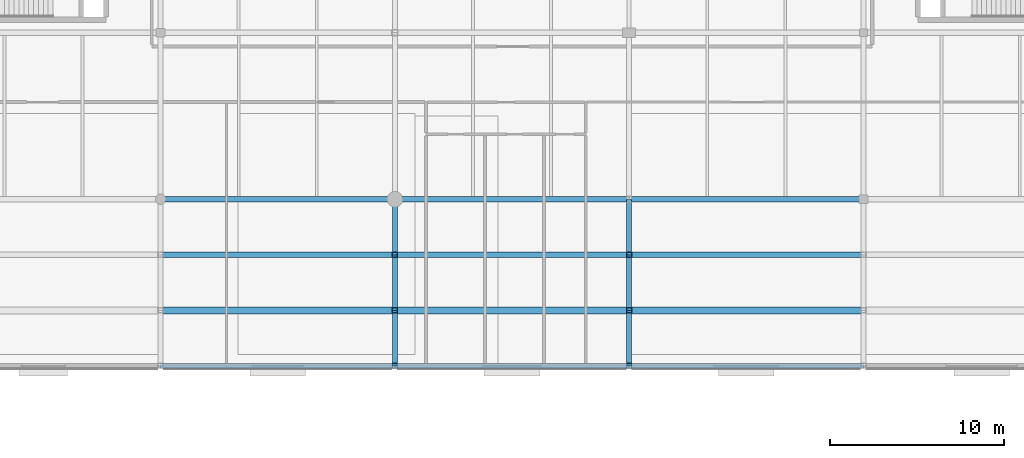
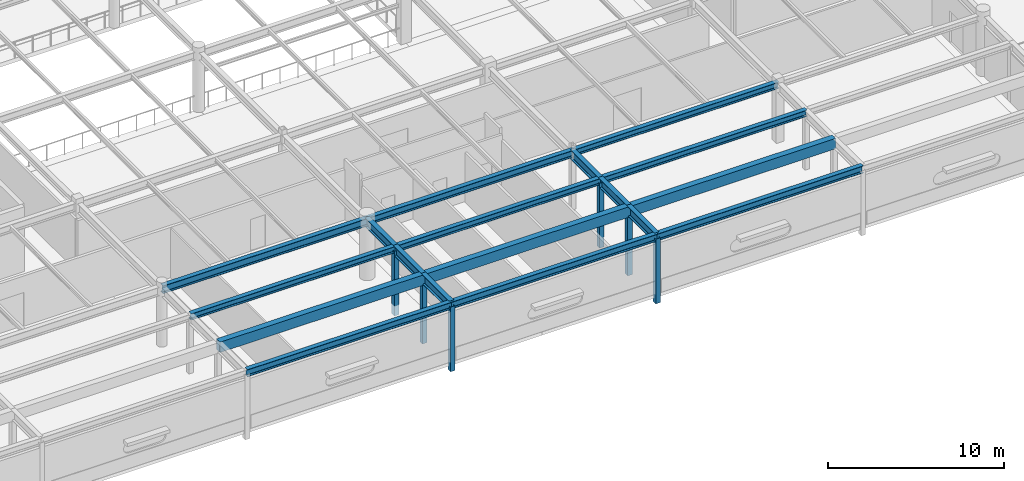
# One storey, part 17 of 61: 18 beams, 6 members.
"""IFC4 building model written with IfcOpenShell, lengths in metres."""

from ifc_helpers import new_model, si_unit, direction, frame, origin, origin_2d, place, context, subcontext, project, spatial, rectangle, hollow_rectangle, i_section, extrude, material, material_profile, profile_set, type_object, element, save


model = new_model("IFC4")

# Units and contexts
model_context = context("Model", 3, precision=1e-05, world=origin(), true_north=direction((0.0, 1.0)))
body_context = subcontext(model_context, "Body", "Model", "MODEL_VIEW")
ifc_project = project(units=[si_unit("LENGTHUNIT", "METRE"), si_unit("AREAUNIT", "SQUARE_METRE"), si_unit("VOLUMEUNIT", "CUBIC_METRE"), si_unit("PLANEANGLEUNIT", "RADIAN"), si_unit("MASSUNIT", "GRAM", prefix="KILO")], contexts=[model_context])

# Site, building, storey
site_placement = place(None, origin())
site = spatial("IfcSite", under=ifc_project, at=site_placement, CompositionType="ELEMENT")
building_placement = place(site_placement, origin())
building = spatial("IfcBuilding", under=site, at=building_placement, Name="Fikremerkos Civic Library", CompositionType="ELEMENT")
storey_placement = place(building_placement, frame((0.0, 0.0, 14.39990234375)))
storey = spatial("IfcBuildingStorey", under=building, at=storey_placement, Name="L03", CompositionType="ELEMENT", Elevation=14.39990234375)

# Members
ifc_material_1 = material(Name="Steel S355", Category="steel")
ifc_material_profile_1 = material_profile(ifc_material_1, hollow_rectangle(XDim=0.300048828125, YDim=0.300048828125, WallThickness=0.012451171875, at=origin_2d()), Name="SHS 300x300x12.5")
ifc_profile_set_1 = profile_set([ifc_material_profile_1], Name="Steel S355")
member_type = type_object("IfcMemberType", Name="Frame post PST-01 SHS 300x300x12.5", PredefinedType="POST", material=ifc_profile_set_1)
for number, where, z_axis, x_axis, name in (
    (1, (73.199951171875, 8.800048828125, -0.664794921875), (0.0, 0.0, 1.0), (1.0, 0.0, 0.0), "Cantilever frame post PST-01 L03 X=73.2 Y=8.8"),
    (2, (73.199951171875, 5.60009765625, -0.664794921875), (0.0, 0.0, 1.0), (1.0, 0.0, 0.0), "Cantilever frame post PST-01 L03 X=73.2 Y=5.6"),
    (3, (73.199951171875, 2.39990234375, -0.664794921875), (0.0, 0.0, 1.0), (1.0, 0.0, 0.0), "Cantilever frame post PST-01 L03 X=73.2 Y=2.4"),
    (4, (86.699951171875, 8.800048828125, -0.664794921875), (0.0, 0.0, 1.0), (1.0, 0.0, 0.0), "Cantilever frame post PST-01 L03 X=86.7 Y=8.8"),
    (5, (86.699951171875, 5.60009765625, -0.664794921875), (0.0, 0.0, 1.0), (1.0, 0.0, 0.0), "Cantilever frame post PST-01 L03 X=86.7 Y=5.6"),
    (6, (86.699951171875, 2.39990234375, -0.664794921875), (0.0, 0.0, 1.0), (1.0, 0.0, 0.0), "Cantilever frame post PST-01 L03 X=86.7 Y=2.4"),
):
    element("IfcMember", number, at=place(storey_placement, frame(where, z_axis=z_axis, x_axis=x_axis)), inside=storey, type_object=member_type, Name=name, PredefinedType="POST", context=body_context, shape_type="SweptSolid", body=[
        extrude(hollow_rectangle(XDim=0.300048828125, YDim=0.300048828125, WallThickness=0.012451171875, at=origin_2d()), origin(), (0.0, 0.0, 1.0), 4.5),
    ])

# Beams
ifc_material_profile_2 = material_profile(ifc_material_1, i_section(OverallWidth=0.300048828125, OverallDepth=0.5400390625, WebThickness=0.012451171875, FlangeThickness=0.02392578125, FilletRadius=0.027099609375, at=origin_2d()), Name="HEA 550")
ifc_profile_set_2 = profile_set([ifc_material_profile_2], Name="Steel S355")
beam_type_1 = type_object("IfcBeamType", Name="Primary girder BM-16 HEA 550", PredefinedType="BEAM", material=ifc_profile_set_2)
beam_1_placement = place(storey_placement, frame((59.699951171875, 12.0, 3.89013671875), z_axis=(1.0, 0.0, 0.0), x_axis=(0.0, 1.0, 0.0)))
element("IfcBeam", 7, at=beam_1_placement, inside=storey, type_object=beam_type_1, Name="Primary girder BM-16 L03 grid E", PredefinedType="BEAM", context=body_context, shape_type="SweptSolid", body=[
    extrude(i_section(OverallWidth=0.300048828125, OverallDepth=0.5400390625, WebThickness=0.012451171875, FlangeThickness=0.02392578125, FilletRadius=0.027099609375, at=origin_2d()), origin(), (0.0, 0.0, 1.0), 13.5),
])
ifc_material_profile_3 = material_profile(ifc_material_1, i_section(OverallWidth=0.300048828125, OverallDepth=0.489990234375, WebThickness=0.011962890625, FlangeThickness=0.02294921875, FilletRadius=0.027099609375, at=origin_2d()), Name="HEA 500")
ifc_profile_set_3 = profile_set([ifc_material_profile_3], Name="Steel S355")
beam_type_2 = type_object("IfcBeamType", Name="Primary girder BM-17 HEA 500", PredefinedType="BEAM", material=ifc_profile_set_3)
beam_2_placement = place(storey_placement, frame((73.199951171875, 12.0, 3.9150390625), z_axis=(1.0, 0.0, 0.0), x_axis=(0.0, 1.0, 0.0)))
element("IfcBeam", 8, at=beam_2_placement, inside=storey, type_object=beam_type_2, Name="Primary girder BM-17 L03 grid E", PredefinedType="BEAM", context=body_context, shape_type="SweptSolid", body=[
    extrude(i_section(OverallWidth=0.300048828125, OverallDepth=0.489990234375, WebThickness=0.011962890625, FlangeThickness=0.02294921875, FilletRadius=0.027099609375, at=origin_2d()), origin(), (0.0, 0.0, 1.0), 13.5),
])
ifc_material_profile_4 = material_profile(ifc_material_1, i_section(OverallWidth=0.300048828125, OverallDepth=0.43994140625, WebThickness=0.011474609375, FlangeThickness=0.02099609375, FilletRadius=0.027099609375, at=origin_2d()), Name="HEA 450")
ifc_profile_set_4 = profile_set([ifc_material_profile_4], Name="Steel S355")
beam_type_3 = type_object("IfcBeamType", Name="Primary girder BM-18 HEA 450", PredefinedType="BEAM", material=ifc_profile_set_4)
beam_3_placement = place(storey_placement, frame((86.699951171875, 12.0, 3.940185546875), z_axis=(1.0, 0.0, 0.0), x_axis=(0.0, 1.0, 0.0)))
element("IfcBeam", 9, at=beam_3_placement, inside=storey, type_object=beam_type_3, Name="Primary girder BM-18 L03 grid E", PredefinedType="BEAM", context=body_context, shape_type="SweptSolid", body=[
    extrude(i_section(OverallWidth=0.300048828125, OverallDepth=0.43994140625, WebThickness=0.011474609375, FlangeThickness=0.02099609375, FilletRadius=0.027099609375, at=origin_2d()), origin(), (0.0, 0.0, 1.0), 13.5),
])
ifc_material_profile_5 = material_profile(ifc_material_1, i_section(OverallWidth=0.300048828125, OverallDepth=0.64990234375, WebThickness=0.01611328125, FlangeThickness=0.031005859375, FilletRadius=0.027099609375, at=origin_2d()), Name="HEB 650")
ifc_profile_set_5 = profile_set([ifc_material_profile_5], Name="Steel S355")
beam_type_4 = type_object("IfcBeamType", Name="Primary girder BM-21 HEB 650", PredefinedType="BEAM", material=ifc_profile_set_5)
for number, where, z_axis, x_axis, name in (
    (10, (73.199951171875, 12.0, 3.835205078125), (0.0, -1.0, 0.0), (1.0, 0.0, 0.0), "Cantilever girder BM-21 L03 X=73.2 #1"),
    (11, (73.199951171875, 8.800048828125, 3.835205078125), (0.0, -1.0, 0.0), (1.0, 0.0, 0.0), "Cantilever girder BM-21 L03 X=73.2 #2"),
):
    element("IfcBeam", number, at=place(storey_placement, frame(where, z_axis=z_axis, x_axis=x_axis)), inside=storey, type_object=beam_type_4, Name=name, PredefinedType="BEAM", context=body_context, shape_type="SweptSolid", body=[
        extrude(i_section(OverallWidth=0.300048828125, OverallDepth=0.64990234375, WebThickness=0.01611328125, FlangeThickness=0.031005859375, FilletRadius=0.027099609375, at=origin_2d()), origin(), (0.0, 0.0, 1.0), 3.199951171875),
    ])
beam_4_placement = place(storey_placement, frame((73.199951171875, 5.60009765625, 3.835205078125), z_axis=(0.0, -1.0, 0.0), x_axis=(1.0, 0.0, 0.0)))
element("IfcBeam", 12, at=beam_4_placement, inside=storey, type_object=beam_type_4, Name="Cantilever girder BM-21 L03 X=73.2 #3", PredefinedType="BEAM", context=body_context, shape_type="SweptSolid", body=[
    extrude(i_section(OverallWidth=0.300048828125, OverallDepth=0.64990234375, WebThickness=0.01611328125, FlangeThickness=0.031005859375, FilletRadius=0.027099609375, at=origin_2d()), origin(), (0.0, 0.0, 1.0), 3.2001953125),
])
for number, where, z_axis, x_axis, name in (
    (13, (86.699951171875, 12.0, 3.835205078125), (0.0, -1.0, 0.0), (1.0, 0.0, 0.0), "Cantilever girder BM-21 L03 X=86.7 #1"),
    (14, (86.699951171875, 8.800048828125, 3.835205078125), (0.0, -1.0, 0.0), (1.0, 0.0, 0.0), "Cantilever girder BM-21 L03 X=86.7 #2"),
):
    element("IfcBeam", number, at=place(storey_placement, frame(where, z_axis=z_axis, x_axis=x_axis)), inside=storey, type_object=beam_type_4, Name=name, PredefinedType="BEAM", context=body_context, shape_type="SweptSolid", body=[
        extrude(i_section(OverallWidth=0.300048828125, OverallDepth=0.64990234375, WebThickness=0.01611328125, FlangeThickness=0.031005859375, FilletRadius=0.027099609375, at=origin_2d()), origin(), (0.0, 0.0, 1.0), 3.199951171875),
    ])
beam_5_placement = place(storey_placement, frame((86.699951171875, 5.60009765625, 3.835205078125), z_axis=(0.0, -1.0, 0.0), x_axis=(1.0, 0.0, 0.0)))
element("IfcBeam", 15, at=beam_5_placement, inside=storey, type_object=beam_type_4, Name="Cantilever girder BM-21 L03 X=86.7 #3", PredefinedType="BEAM", context=body_context, shape_type="SweptSolid", body=[
    extrude(i_section(OverallWidth=0.300048828125, OverallDepth=0.64990234375, WebThickness=0.01611328125, FlangeThickness=0.031005859375, FilletRadius=0.027099609375, at=origin_2d()), origin(), (0.0, 0.0, 1.0), 3.2001953125),
])
ifc_material_2 = material(Name="Concrete C40/50", Category="concrete")
ifc_material_profile_6 = material_profile(ifc_material_2, rectangle(XDim=0.39990234375, YDim=0.719970703125, at=origin_2d()), Name="RC 400x720")
ifc_profile_set_6 = profile_set([ifc_material_profile_6], Name="Concrete C40/50")
beam_type_5 = type_object("IfcBeamType", Name="Spandrel edge beam SPB-03 RC 400x720", PredefinedType="SPANDREL", material=ifc_profile_set_6)
for number, where, z_axis, x_axis, name in (
    (16, (59.699951171875, 5.60009765625, 3.800048828125), (1.0, 0.0, 0.0), (0.0, 1.0, 0.0), "Spandrel edge beam SPB-03 L03 Y=5.6 bay 4"),
    (17, (73.199951171875, 5.60009765625, 3.800048828125), (1.0, 0.0, 0.0), (0.0, 1.0, 0.0), "Spandrel edge beam SPB-03 L03 Y=5.6 bay 5"),
    (18, (86.699951171875, 5.60009765625, 3.800048828125), (1.0, 0.0, 0.0), (0.0, 1.0, 0.0), "Spandrel edge beam SPB-03 L03 Y=5.6 bay 6"),
):
    element("IfcBeam", number, at=place(storey_placement, frame(where, z_axis=z_axis, x_axis=x_axis)), inside=storey, type_object=beam_type_5, Name=name, PredefinedType="SPANDREL", context=body_context, shape_type="SweptSolid", body=[
        extrude(rectangle(XDim=0.39990234375, YDim=0.719970703125, at=origin_2d()), origin(), (0.0, 0.0, 1.0), 13.5),
    ])
ifc_material_profile_7 = material_profile(ifc_material_1, i_section(OverallWidth=0.300048828125, OverallDepth=0.489990234375, WebThickness=0.011962890625, FlangeThickness=0.02294921875, FilletRadius=0.027099609375, at=origin_2d()), Name="HEA 500")
ifc_profile_set_7 = profile_set([ifc_material_profile_7], Name="Steel S355")
beam_type_6 = type_object("IfcBeamType", Name="Spandrel edge beam SPB-04 HEA 500", PredefinedType="SPANDREL", material=ifc_profile_set_7)
for number, where, z_axis, x_axis, name in (
    (19, (59.699951171875, 2.39990234375, 3.9150390625), (1.0, 0.0, 0.0), (0.0, 1.0, 0.0), "Spandrel edge beam SPB-04 L03 Y=2.4 bay 4"),
    (20, (73.199951171875, 2.39990234375, 3.9150390625), (1.0, 0.0, 0.0), (0.0, 1.0, 0.0), "Spandrel edge beam SPB-04 L03 Y=2.4 bay 5"),
    (21, (86.699951171875, 2.39990234375, 3.9150390625), (1.0, 0.0, 0.0), (0.0, 1.0, 0.0), "Spandrel edge beam SPB-04 L03 Y=2.4 bay 6"),
):
    element("IfcBeam", number, at=place(storey_placement, frame(where, z_axis=z_axis, x_axis=x_axis)), inside=storey, type_object=beam_type_6, Name=name, PredefinedType="SPANDREL", context=body_context, shape_type="SweptSolid", body=[
        extrude(i_section(OverallWidth=0.300048828125, OverallDepth=0.489990234375, WebThickness=0.011962890625, FlangeThickness=0.02294921875, FilletRadius=0.027099609375, at=origin_2d()), origin(), (0.0, 0.0, 1.0), 13.5),
    ])
ifc_material_profile_8 = material_profile(ifc_material_1, i_section(OverallWidth=0.300048828125, OverallDepth=0.43994140625, WebThickness=0.011474609375, FlangeThickness=0.02099609375, FilletRadius=0.027099609375, at=origin_2d()), Name="HEA 450")
ifc_profile_set_8 = profile_set([ifc_material_profile_8], Name="Steel S355")
beam_type_7 = type_object("IfcBeamType", Name="Spandrel edge beam SPB-05 HEA 450", PredefinedType="SPANDREL", material=ifc_profile_set_8)
for number, where, z_axis, x_axis, name in (
    (22, (59.699951171875, 8.800048828125, 3.940185546875), (1.0, 0.0, 0.0), (0.0, 1.0, 0.0), "Spandrel edge beam SPB-05 L03 Y=8.8 bay 4"),
    (23, (73.199951171875, 8.800048828125, 3.940185546875), (1.0, 0.0, 0.0), (0.0, 1.0, 0.0), "Spandrel edge beam SPB-05 L03 Y=8.8 bay 5"),
    (24, (86.699951171875, 8.800048828125, 3.940185546875), (1.0, 0.0, 0.0), (0.0, 1.0, 0.0), "Spandrel edge beam SPB-05 L03 Y=8.8 bay 6"),
):
    element("IfcBeam", number, at=place(storey_placement, frame(where, z_axis=z_axis, x_axis=x_axis)), inside=storey, type_object=beam_type_7, Name=name, PredefinedType="SPANDREL", context=body_context, shape_type="SweptSolid", body=[
        extrude(i_section(OverallWidth=0.300048828125, OverallDepth=0.43994140625, WebThickness=0.011474609375, FlangeThickness=0.02099609375, FilletRadius=0.027099609375, at=origin_2d()), origin(), (0.0, 0.0, 1.0), 13.5),
    ])

save(model, "model.ifc")
